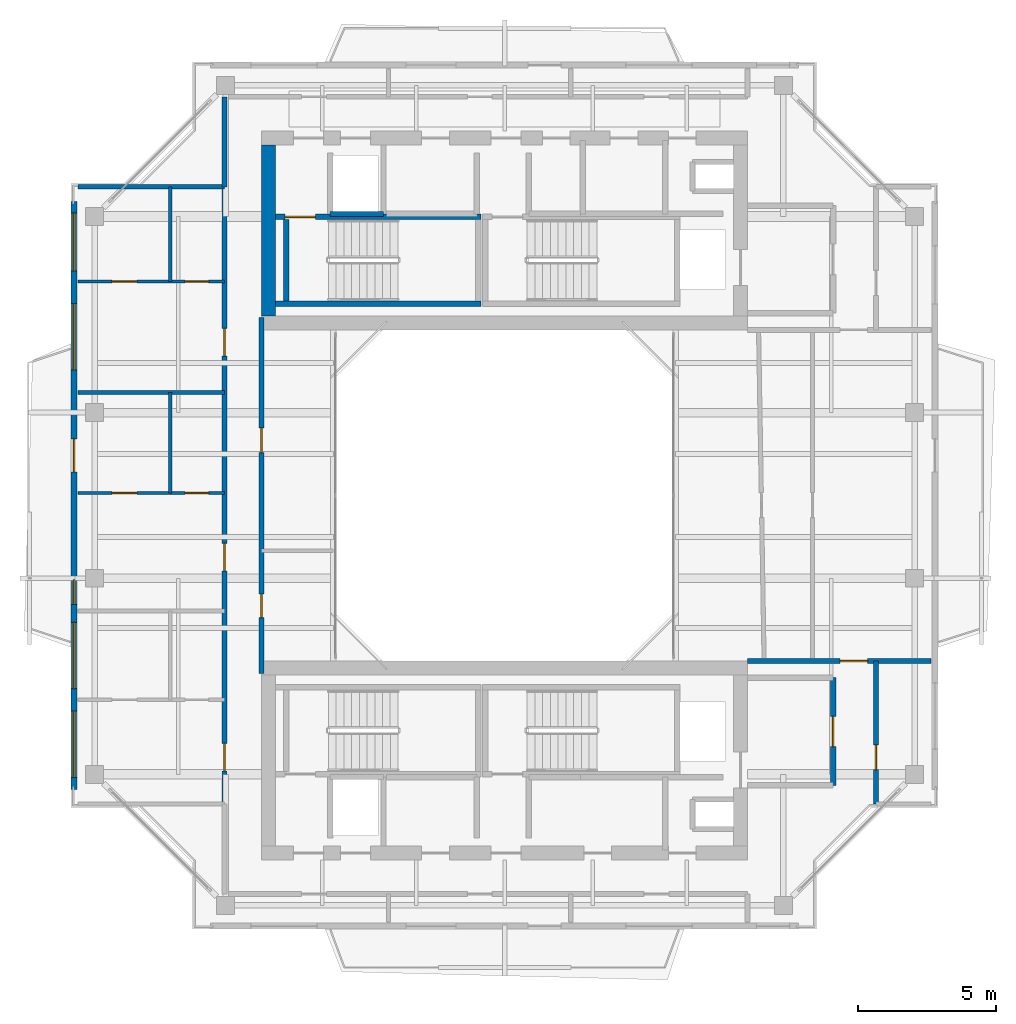
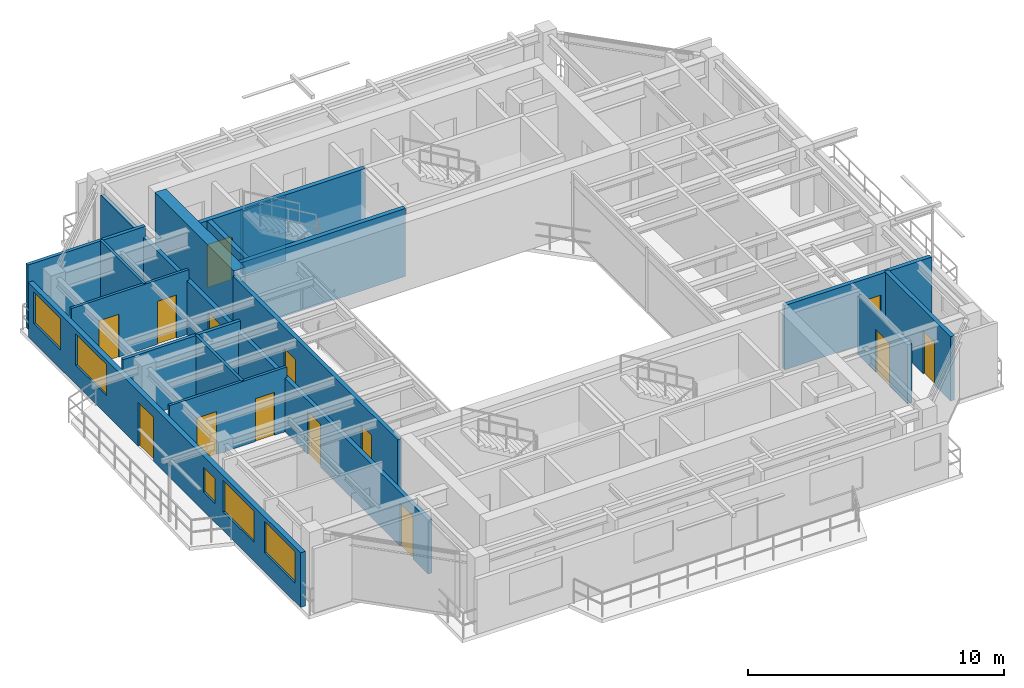
# One storey, part 10 of 15: 18 walls, 14 doors, 5 windows, 19 openings.
"""IFC4 building model written with IfcOpenShell, lengths in metres."""

from ifc_helpers import new_model, si_unit, direction, frame, frame_2d, origin, place, context, subcontext, project, spatial, rectangle, extrude, source, transform, mapped, material, layer, layer_set, type_object, element, fill, save


model = new_model("IFC4")

# Units and contexts
model_context = context("Model", 3, precision=1e-05, world=origin(), true_north=direction((0.0, 1.0)))
body_context = subcontext(model_context, "Body", "Model", "MODEL_VIEW")
ifc_project = project(units=[si_unit("LENGTHUNIT", "METRE"), si_unit("AREAUNIT", "SQUARE_METRE"), si_unit("VOLUMEUNIT", "CUBIC_METRE"), si_unit("PLANEANGLEUNIT", "RADIAN"), si_unit("MASSUNIT", "GRAM", prefix="KILO"), si_unit("THERMODYNAMICTEMPERATUREUNIT", "KELVIN"), si_unit("POWERUNIT", "WATT")], contexts=[model_context])

# Site, building, storey
site_placement = place(None, origin())
site = spatial("IfcSite", under=ifc_project, at=site_placement, CompositionType="ELEMENT")
building_placement = place(site_placement, origin())
building = spatial("IfcBuilding", under=site, at=building_placement, Name="Qiaomeng Ring Towers", CompositionType="ELEMENT")
storey_placement = place(building_placement, frame((0.0, 0.0, 256.75)))
storey = spatial("IfcBuildingStorey", under=building, at=storey_placement, Name="L75", CompositionType="ELEMENT", Elevation=256.75)

# Wall, openings, windows, door
ifc_material_1 = material(Name="Precast concrete C40", Category="concrete")
ifc_layer_1 = layer(ifc_material_1, 0.219970703125, Name="Precast concrete C40")
ifc_layer_set_1 = layer_set([ifc_layer_1], Name="Precast concrete C40")
wall_type_1 = type_object("IfcWallType", Name="ARC-WL-EW2", PredefinedType="STANDARD", material=ifc_layer_set_1)
wall_1_placement = place(storey_placement, frame((3.409912109375, 12.35009765625, 0.0), z_axis=(0.0, 0.0, 1.0), x_axis=(0.0, 1.0, 0.0)))
wall_1 = element("IfcWall", 1, at=wall_1_placement, inside=storey, type_object=wall_type_1, Name="L75 Tower 1 W Exterior Wall", PredefinedType="STANDARD", context=body_context, shape_type="SweptSolid", body=[
    extrude(rectangle(XDim=21.2998046875, YDim=0.219970703125, at=frame_2d((10.64990234375, 0.0))), origin(), (0.0, 0.0, 1.0), 2.610107421875),
])
opening_1_placement = place(wall_1_placement, frame((11.5, 0.0, 0.0)))
opening_1 = element("IfcOpeningElement", 2, at=opening_1_placement, cuts=wall_1, Name="Opening BD1", PredefinedType="OPENING", context=body_context, shape_type="SweptSolid", body=[
    extrude(rectangle(XDim=1.199951171875, YDim=2.10009765625, at=frame_2d((0.60009765625, 1.050048828125))), frame((0.0, 0.119873046875, 0.0), z_axis=(0.0, -1.0, 0.0), x_axis=(1.0, 0.0, 0.0)), (0.0, 0.0, 1.0), 0.239990234375),
])
opening_2_placement = place(wall_1_placement, frame((0.43994140625, 0.0, 0.89990234375)))
opening_2 = element("IfcOpeningElement", 3, at=opening_2_placement, cuts=wall_1, Name="Opening WN6", PredefinedType="OPENING", context=body_context, shape_type="SweptSolid", body=[
    extrude(rectangle(XDim=2.39990234375, YDim=1.5, at=frame_2d((1.199951171875, 0.75))), frame((0.0, 0.119873046875, 0.0), z_axis=(0.0, -1.0, 0.0), x_axis=(1.0, 0.0, 0.0)), (0.0, 0.0, 1.0), 0.239990234375),
])
opening_3_placement = place(wall_1_placement, frame((18.784912109375, 0.0, 0.89990234375)))
opening_3 = element("IfcOpeningElement", 4, at=opening_3_placement, cuts=wall_1, Name="Opening WN4", PredefinedType="OPENING", context=body_context, shape_type="SweptSolid", body=[
    extrude(rectangle(XDim=2.10009765625, YDim=1.5, at=frame_2d((1.050048828125, 0.75))), frame((0.0, 0.119873046875, 0.0), z_axis=(0.0, -1.0, 0.0), x_axis=(1.0, 0.0, 0.0)), (0.0, 0.0, 1.0), 0.239990234375),
])
opening_4_placement = place(wall_1_placement, frame((3.652587890625, 0.0, 0.89990234375)))
opening_4 = element("IfcOpeningElement", 5, at=opening_4_placement, cuts=wall_1, Name="Opening WN6", PredefinedType="OPENING", context=body_context, shape_type="SweptSolid", body=[
    extrude(rectangle(XDim=2.39990234375, YDim=1.5, at=frame_2d((1.199951171875, 0.75))), frame((0.0, 0.119873046875, 0.0), z_axis=(0.0, -1.0, 0.0), x_axis=(1.0, 0.0, 0.0)), (0.0, 0.0, 1.0), 0.239990234375),
])
opening_5_placement = place(wall_1_placement, frame((15.197509765625, 0.0, 0.89990234375)))
opening_5 = element("IfcOpeningElement", 6, at=opening_5_placement, cuts=wall_1, Name="Opening WN6", PredefinedType="OPENING", context=body_context, shape_type="SweptSolid", body=[
    extrude(rectangle(XDim=2.39990234375, YDim=1.5, at=frame_2d((1.199951171875, 0.75))), frame((0.0, 0.119873046875, 0.0), z_axis=(0.0, -1.0, 0.0), x_axis=(1.0, 0.0, 0.0)), (0.0, 0.0, 1.0), 0.239990234375),
])
opening_6_placement = place(wall_1_placement, frame((6.705078125, 0.0, 0.89990234375)))
opening_6 = element("IfcOpeningElement", 7, at=opening_6_placement, cuts=wall_1, Name="Opening WN5", PredefinedType="OPENING", context=body_context, shape_type="SweptSolid", body=[
    extrude(rectangle(XDim=0.89990234375, YDim=1.199951171875, at=frame_2d((0.449951171875, 0.60009765625))), frame((0.0, 0.119873046875, 0.0), z_axis=(0.0, -1.0, 0.0), x_axis=(1.0, 0.0, 0.0)), (0.0, 0.0, 1.0), 0.239990234375),
])
ifc_material_2 = material(Name="Low-E dark-grey laminated double glazing", Category="glass")
window_type_1 = type_object("IfcWindowType", Name="ARC-WN-4", PartitioningType="TRIPLE_PANEL_VERTICAL", PredefinedType="WINDOW", material=ifc_material_2)
shared_shape_1 = source(origin(), body_context, "Body", "SweptSolid", [
    extrude(rectangle(XDim=2.10009765625, YDim=1.5, at=frame_2d((1.050048828125, 0.75))), frame((0.0, 0.030029296875, 0.0), z_axis=(0.0, -1.0, 0.0), x_axis=(1.0, 0.0, 0.0)), (0.0, 0.0, 1.0), 0.06005859375),
])
window_1_placement = place(opening_3_placement, origin())
window_1 = element("IfcWindow", 8, at=window_1_placement, inside=storey, type_object=window_type_1, Name="L75 Exterior Window WN4", OverallHeight=1.5, OverallWidth=2.10009765625, PartitioningType="TRIPLE_PANEL_VERTICAL", PredefinedType="WINDOW", context=body_context, shape_type="MappedRepresentation", body=[
    mapped(shared_shape_1, transform((0.0, 0.0, 0.0), x_axis=(1.0, 0.0, 0.0), y_axis=(0.0, 1.0, 0.0), z_axis=(0.0, 0.0, 1.0), scale=1.0)),
])
fill(opening_3, window_1)
door_type_1 = type_object("IfcDoorType", Name="ARC-DR-BD1", OperationType="NOTDEFINED", PredefinedType="DOOR", material=ifc_material_2)
shared_shape_2 = source(origin(), body_context, "Body", "SweptSolid", [
    extrude(rectangle(XDim=1.199951171875, YDim=2.10009765625, at=frame_2d((0.60009765625, 1.050048828125))), frame((0.0, 0.02490234375, 0.0), z_axis=(0.0, -1.0, 0.0), x_axis=(1.0, 0.0, 0.0)), (0.0, 0.0, 1.0), 0.050048828125),
])
door_1_placement = place(opening_1_placement, frame((1.199951171875, 0.0, 0.0), z_axis=(0.0, 0.0, 1.0), x_axis=(-1.0, 0.0, 0.0)))
door_1 = element("IfcDoor", 9, at=door_1_placement, inside=storey, type_object=door_type_1, Name="L75 W Balcony Glazed Door", OperationType="SINGLE_SWING_LEFT", OverallHeight=2.10009765625, OverallWidth=1.199951171875, PredefinedType="DOOR", context=body_context, shape_type="MappedRepresentation", body=[
    mapped(shared_shape_2, transform((0.0, 0.0, 0.0), x_axis=(1.0, 0.0, 0.0), y_axis=(0.0, 1.0, 0.0), z_axis=(0.0, 0.0, 1.0), scale=1.0)),
])
fill(opening_1, door_1)
window_type_2 = type_object("IfcWindowType", Name="ARC-WN-6", PartitioningType="TRIPLE_PANEL_VERTICAL", PredefinedType="WINDOW", material=ifc_material_2)
shared_shape_3 = source(origin(), body_context, "Body", "SweptSolid", [
    extrude(rectangle(XDim=2.39990234375, YDim=1.5, at=frame_2d((1.199951171875, 0.75))), frame((0.0, 0.030029296875, 0.0), z_axis=(0.0, -1.0, 0.0), x_axis=(1.0, 0.0, 0.0)), (0.0, 0.0, 1.0), 0.06005859375),
])
window_2_placement = place(opening_2_placement, origin())
window_2 = element("IfcWindow", 10, at=window_2_placement, inside=storey, type_object=window_type_2, Name="L75 Exterior Window WN6", OverallHeight=1.5, OverallWidth=2.39990234375, PartitioningType="TRIPLE_PANEL_VERTICAL", PredefinedType="WINDOW", context=body_context, shape_type="MappedRepresentation", body=[
    mapped(shared_shape_3, transform((0.0, 0.0, 0.0), x_axis=(1.0, 0.0, 0.0), y_axis=(0.0, 1.0, 0.0), z_axis=(0.0, 0.0, 1.0), scale=1.0)),
])
fill(opening_2, window_2)
window_3_placement = place(opening_4_placement, origin())
window_3 = element("IfcWindow", 11, at=window_3_placement, inside=storey, type_object=window_type_2, Name="L75 Exterior Window WN6", OverallHeight=1.5, OverallWidth=2.39990234375, PartitioningType="TRIPLE_PANEL_VERTICAL", PredefinedType="WINDOW", context=body_context, shape_type="MappedRepresentation", body=[
    mapped(shared_shape_3, transform((0.0, 0.0, 0.0), x_axis=(1.0, 0.0, 0.0), y_axis=(0.0, 1.0, 0.0), z_axis=(0.0, 0.0, 1.0), scale=1.0)),
])
fill(opening_4, window_3)
window_4_placement = place(opening_5_placement, origin())
window_4 = element("IfcWindow", 12, at=window_4_placement, inside=storey, type_object=window_type_2, Name="L75 Exterior Window WN6", OverallHeight=1.5, OverallWidth=2.39990234375, PartitioningType="TRIPLE_PANEL_VERTICAL", PredefinedType="WINDOW", context=body_context, shape_type="MappedRepresentation", body=[
    mapped(shared_shape_3, transform((0.0, 0.0, 0.0), x_axis=(1.0, 0.0, 0.0), y_axis=(0.0, 1.0, 0.0), z_axis=(0.0, 0.0, 1.0), scale=1.0)),
])
fill(opening_5, window_4)
window_type_3 = type_object("IfcWindowType", Name="ARC-WN-5", PartitioningType="SINGLE_PANEL", PredefinedType="WINDOW", material=ifc_material_2)
shared_shape_4 = source(origin(), body_context, "Body", "SweptSolid", [
    extrude(rectangle(XDim=0.89990234375, YDim=1.199951171875, at=frame_2d((0.449951171875, 0.60009765625))), frame((0.0, 0.030029296875, 0.0), z_axis=(0.0, -1.0, 0.0), x_axis=(1.0, 0.0, 0.0)), (0.0, 0.0, 1.0), 0.06005859375),
])
window_5_placement = place(opening_6_placement, origin())
window_5 = element("IfcWindow", 13, at=window_5_placement, inside=storey, type_object=window_type_3, Name="L75 Exterior Window WN5", OverallHeight=1.199951171875, OverallWidth=0.89990234375, PartitioningType="SINGLE_PANEL", PredefinedType="WINDOW", context=body_context, shape_type="MappedRepresentation", body=[
    mapped(shared_shape_4, transform((0.0, 0.0, 0.0), x_axis=(1.0, 0.0, 0.0), y_axis=(0.0, 1.0, 0.0), z_axis=(0.0, 0.0, 1.0), scale=1.0)),
])
fill(opening_6, window_5)

# Wall, opening, door
ifc_material_3 = material(Name="Autoclaved aerated concrete block", Category="concrete")
ifc_layer_2 = layer(ifc_material_3, 0.199951171875, Name="Autoclaved aerated concrete block")
ifc_layer_set_2 = layer_set([ifc_layer_2], Name="Autoclaved aerated concrete block")
wall_type_2 = type_object("IfcWallType", Name="ARC-WL-PW1", PredefinedType="PARTITIONING", material=ifc_layer_set_2)
wall_2_placement = place(storey_placement, frame((30.89990234375, 12.5, 0.0), z_axis=(0.0, 0.0, 1.0), x_axis=(0.0, 1.0, 0.0)))
wall_2 = element("IfcWall", 14, at=wall_2_placement, inside=storey, type_object=wall_type_2, Name="L75 Interior Wall PW1", PredefinedType="PARTITIONING", context=body_context, shape_type="SweptSolid", body=[
    extrude(rectangle(XDim=3.89990234375, YDim=0.199951171875, at=frame_2d((1.949951171875, 0.0))), origin(), (0.0, 0.0, 1.0), 2.81494140625),
])
opening_7_placement = place(wall_2_placement, frame((1.39990234375, 0.0, 0.0)))
opening_7 = element("IfcOpeningElement", 15, at=opening_7_placement, cuts=wall_2, Name="Opening FD3", PredefinedType="OPENING", context=body_context, shape_type="SweptSolid", body=[
    extrude(rectangle(XDim=1.10009765625, YDim=2.050048828125, at=frame_2d((0.550048828125, 1.02490234375))), frame((0.0, 0.10986328125, 0.0), z_axis=(0.0, -1.0, 0.0), x_axis=(1.0, 0.0, 0.0)), (0.0, 0.0, 1.0), 0.219970703125),
])
ifc_material_4 = material(Name="Galvanised steel", Category="steel")
door_type_2 = type_object("IfcDoorType", Name="ARC-DR-FD3", OperationType="NOTDEFINED", PredefinedType="DOOR", material=ifc_material_4)
shared_shape_5 = source(origin(), body_context, "Body", "SweptSolid", [
    extrude(rectangle(XDim=1.10009765625, YDim=2.050048828125, at=frame_2d((0.550048828125, 1.02490234375))), frame((0.0, 0.02490234375, 0.0), z_axis=(0.0, -1.0, 0.0), x_axis=(1.0, 0.0, 0.0)), (0.0, 0.0, 1.0), 0.050048828125),
])
door_2_placement = place(opening_7_placement, origin())
door_2 = element("IfcDoor", 16, at=door_2_placement, inside=storey, type_object=door_type_2, Name="L75 South FF Lobby Door", OperationType="SINGLE_SWING_RIGHT", OverallHeight=2.050048828125, OverallWidth=1.10009765625, PredefinedType="DOOR", context=body_context, shape_type="MappedRepresentation", body=[
    mapped(shared_shape_5, transform((0.0, 0.0, 0.0), x_axis=(1.0, 0.0, 0.0), y_axis=(0.0, 1.0, 0.0), z_axis=(0.0, 0.0, 1.0), scale=1.0)),
])
fill(opening_7, door_2)

# Wall
ifc_layer_3 = layer(ifc_material_3, 0.179931640625, Name="Autoclaved aerated concrete block")
ifc_layer_set_3 = layer_set([ifc_layer_3], Name="Autoclaved aerated concrete block")
wall_type_3 = type_object("IfcWallType", Name="ARC-WL-PW2", PredefinedType="PARTITIONING", material=ifc_layer_set_3)
wall_3_placement = place(storey_placement, frame((8.85009765625, 34.179931640625, 0.0), z_axis=(0.0, 0.0, 1.0), x_axis=(0.0, 1.0, 0.0)))
element("IfcWall", 17, at=wall_3_placement, inside=storey, type_object=wall_type_3, Name="L75 Interior Wall PW2", PredefinedType="PARTITIONING", context=body_context, shape_type="SweptSolid", body=[
    extrude(rectangle(XDim=3.260009765625, YDim=0.179931640625, at=frame_2d((1.6298828125, 0.0))), origin(), (0.0, 0.0, 1.0), 2.569091796875),
])

# Wall, openings, doors
wall_4_placement = place(storey_placement, frame((8.85009765625, 11.820068359375, 0.0), z_axis=(0.0, 0.0, 1.0), x_axis=(0.0, 1.0, 0.0)))
wall_4 = element("IfcWall", 18, at=wall_4_placement, inside=storey, type_object=wall_type_3, Name="L75 Interior Wall PW2", PredefinedType="PARTITIONING", context=body_context, shape_type="SweptSolid", body=[
    extrude(rectangle(XDim=22.35986328125, YDim=0.179931640625, at=frame_2d((11.179931640625, 0.0))), origin(), (0.0, 0.0, 1.0), 2.569091796875),
])
opening_8_placement = place(wall_4_placement, frame((1.199951171875, 0.0, 0.0)))
opening_8 = element("IfcOpeningElement", 19, at=opening_8_placement, cuts=wall_4, Name="Opening FD4", PredefinedType="OPENING", context=body_context, shape_type="SweptSolid", body=[
    extrude(rectangle(XDim=1.0, YDim=2.050048828125, at=frame_2d((0.5, 1.02490234375))), frame((0.0, 0.099853515625, 0.0), z_axis=(0.0, -1.0, 0.0), x_axis=(1.0, 0.0, 0.0)), (0.0, 0.0, 1.0), 0.199951171875),
])
opening_9_placement = place(wall_4_placement, frame((8.445068359375, 0.0, 0.0)))
opening_9 = element("IfcOpeningElement", 20, at=opening_9_placement, cuts=wall_4, Name="Opening FD4", PredefinedType="OPENING", context=body_context, shape_type="SweptSolid", body=[
    extrude(rectangle(XDim=1.0, YDim=2.050048828125, at=frame_2d((0.5, 1.02490234375))), frame((0.0, 0.099853515625, 0.0), z_axis=(0.0, -1.0, 0.0), x_axis=(1.0, 0.0, 0.0)), (0.0, 0.0, 1.0), 0.199951171875),
])
opening_10_placement = place(wall_4_placement, frame((16.22998046875, 0.0, 0.0)))
opening_10 = element("IfcOpeningElement", 21, at=opening_10_placement, cuts=wall_4, Name="Opening FD4", PredefinedType="OPENING", context=body_context, shape_type="SweptSolid", body=[
    extrude(rectangle(XDim=1.0, YDim=2.050048828125, at=frame_2d((0.5, 1.02490234375))), frame((0.0, 0.099853515625, 0.0), z_axis=(0.0, -1.0, 0.0), x_axis=(1.0, 0.0, 0.0)), (0.0, 0.0, 1.0), 0.199951171875),
])
ifc_material_5 = material(Name="Engineered fire-rated oak timber", Category="wood")
door_type_3 = type_object("IfcDoorType", Name="ARC-DR-FD4", OperationType="NOTDEFINED", PredefinedType="DOOR", material=ifc_material_5)
shared_shape_6 = source(origin(), body_context, "Body", "SweptSolid", [
    extrude(rectangle(XDim=1.0, YDim=2.050048828125, at=frame_2d((0.5, 1.02490234375))), frame((0.0, 0.02490234375, 0.0), z_axis=(0.0, -1.0, 0.0), x_axis=(1.0, 0.0, 0.0)), (0.0, 0.0, 1.0), 0.050048828125),
])
door_3_placement = place(opening_8_placement, origin())
door_3 = element("IfcDoor", 22, at=door_3_placement, inside=storey, type_object=door_type_3, Name="L75 Door FD4", OperationType="SINGLE_SWING_RIGHT", OverallHeight=2.050048828125, OverallWidth=1.0, PredefinedType="DOOR", context=body_context, shape_type="MappedRepresentation", body=[
    mapped(shared_shape_6, transform((0.0, 0.0, 0.0), x_axis=(1.0, 0.0, 0.0), y_axis=(0.0, 1.0, 0.0), z_axis=(0.0, 0.0, 1.0), scale=1.0)),
])
fill(opening_8, door_3)
door_4_placement = place(opening_9_placement, origin())
door_4 = element("IfcDoor", 23, at=door_4_placement, inside=storey, type_object=door_type_3, Name="L75 Door FD4", OperationType="SINGLE_SWING_LEFT", OverallHeight=2.050048828125, OverallWidth=1.0, PredefinedType="DOOR", context=body_context, shape_type="MappedRepresentation", body=[
    mapped(shared_shape_6, transform((0.0, 0.0, 0.0), x_axis=(1.0, 0.0, 0.0), y_axis=(0.0, 1.0, 0.0), z_axis=(0.0, 0.0, 1.0), scale=1.0)),
])
fill(opening_9, door_4)
door_5_placement = place(opening_10_placement, origin())
door_5 = element("IfcDoor", 24, at=door_5_placement, inside=storey, type_object=door_type_3, Name="L75 Door FD4", OperationType="SINGLE_SWING_RIGHT", OverallHeight=2.050048828125, OverallWidth=1.0, PredefinedType="DOOR", context=body_context, shape_type="MappedRepresentation", body=[
    mapped(shared_shape_6, transform((0.0, 0.0, 0.0), x_axis=(1.0, 0.0, 0.0), y_axis=(0.0, 1.0, 0.0), z_axis=(0.0, 0.0, 1.0), scale=1.0)),
])
fill(opening_10, door_5)

wall_5_placement = place(storey_placement, frame((10.199951171875, 16.550048828125, 0.0), z_axis=(0.0, 0.0, 1.0), x_axis=(0.0, 1.0, 0.0)))
wall_5 = element("IfcWall", 25, at=wall_5_placement, inside=storey, type_object=wall_type_3, Name="L75 Interior Wall PW2", PredefinedType="PARTITIONING", context=body_context, shape_type="SweptSolid", body=[
    extrude(rectangle(XDim=12.89990234375, YDim=0.179931640625, at=frame_2d((6.449951171875, 0.0))), origin(), (0.0, 0.0, 1.0), 3.070068359375),
])
opening_11_placement = place(wall_5_placement, frame((2.02490234375, 0.0, 0.0)))
opening_11 = element("IfcOpeningElement", 26, at=opening_11_placement, cuts=wall_5, Name="Opening ID2", PredefinedType="OPENING", context=body_context, shape_type="SweptSolid", body=[
    extrude(rectangle(XDim=0.85009765625, YDim=2.050048828125, at=frame_2d((0.425048828125, 1.02490234375))), frame((0.0, 0.099853515625, 0.0), z_axis=(0.0, -1.0, 0.0), x_axis=(1.0, 0.0, 0.0)), (0.0, 0.0, 1.0), 0.199951171875),
])
opening_12_placement = place(wall_5_placement, frame((8.0, 0.0, 0.0)))
opening_12 = element("IfcOpeningElement", 27, at=opening_12_placement, cuts=wall_5, Name="Opening ID1", PredefinedType="OPENING", context=body_context, shape_type="SweptSolid", body=[
    extrude(rectangle(XDim=0.89990234375, YDim=2.050048828125, at=frame_2d((0.449951171875, 1.02490234375))), frame((0.0, 0.099853515625, 0.0), z_axis=(0.0, -1.0, 0.0), x_axis=(1.0, 0.0, 0.0)), (0.0, 0.0, 1.0), 0.199951171875),
])
ifc_material_6 = material(Name="Moisture-resistant engineered timber", Category="wood")
door_type_4 = type_object("IfcDoorType", Name="ARC-DR-ID2", OperationType="NOTDEFINED", PredefinedType="DOOR", material=ifc_material_6)
shared_shape_7 = source(origin(), body_context, "Body", "SweptSolid", [
    extrude(rectangle(XDim=0.85009765625, YDim=2.050048828125, at=frame_2d((0.425048828125, 1.02490234375))), frame((0.0, 0.02490234375, 0.0), z_axis=(0.0, -1.0, 0.0), x_axis=(1.0, 0.0, 0.0)), (0.0, 0.0, 1.0), 0.050048828125),
])
door_6_placement = place(opening_11_placement, origin())
door_6 = element("IfcDoor", 28, at=door_6_placement, inside=storey, type_object=door_type_4, Name="L75 Door ID2", OperationType="SINGLE_SWING_LEFT", OverallHeight=2.050048828125, OverallWidth=0.85009765625, PredefinedType="DOOR", context=body_context, shape_type="MappedRepresentation", body=[
    mapped(shared_shape_7, transform((0.0, 0.0, 0.0), x_axis=(1.0, 0.0, 0.0), y_axis=(0.0, 1.0, 0.0), z_axis=(0.0, 0.0, 1.0), scale=1.0)),
])
fill(opening_11, door_6)
ifc_material_7 = material(Name="Engineered oak timber", Category="wood")
door_type_5 = type_object("IfcDoorType", Name="ARC-DR-ID1", OperationType="NOTDEFINED", PredefinedType="DOOR", material=ifc_material_7)
shared_shape_8 = source(origin(), body_context, "Body", "SweptSolid", [
    extrude(rectangle(XDim=0.89990234375, YDim=2.050048828125, at=frame_2d((0.449951171875, 1.02490234375))), frame((0.0, 0.02490234375, 0.0), z_axis=(0.0, -1.0, 0.0), x_axis=(1.0, 0.0, 0.0)), (0.0, 0.0, 1.0), 0.050048828125),
])
door_7_placement = place(opening_12_placement, origin())
door_7 = element("IfcDoor", 29, at=door_7_placement, inside=storey, type_object=door_type_5, Name="L75 Door ID1", OperationType="SINGLE_SWING_RIGHT", OverallHeight=2.050048828125, OverallWidth=0.89990234375, PredefinedType="DOOR", context=body_context, shape_type="MappedRepresentation", body=[
    mapped(shared_shape_8, transform((0.0, 0.0, 0.0), x_axis=(1.0, 0.0, 0.0), y_axis=(0.0, 1.0, 0.0), z_axis=(0.0, 0.0, 1.0), scale=1.0)),
])
fill(opening_12, door_7)

# Wall, opening, door
wall_6_placement = place(storey_placement, frame((27.800048828125, 17.0, 0.0), z_axis=(0.0, 0.0, 1.0), x_axis=(1.0, 0.0, 0.0)))
wall_6 = element("IfcWall", 30, at=wall_6_placement, inside=storey, type_object=wall_type_3, Name="L75 Interior Wall PW2", PredefinedType="PARTITIONING", context=body_context, shape_type="SweptSolid", body=[
    extrude(rectangle(XDim=6.64990234375, YDim=0.179931640625, at=frame_2d((3.324951171875, 0.0))), origin(), (0.0, 0.0, 1.0), 3.070068359375),
])
opening_13_placement = place(wall_6_placement, frame((3.35009765625, 0.0, 0.0)))
opening_13 = element("IfcOpeningElement", 31, at=opening_13_placement, cuts=wall_6, Name="Opening FD4", PredefinedType="OPENING", context=body_context, shape_type="SweptSolid", body=[
    extrude(rectangle(XDim=1.0, YDim=2.050048828125, at=frame_2d((0.5, 1.02490234375))), frame((0.0, 0.099853515625, 0.0), z_axis=(0.0, -1.0, 0.0), x_axis=(1.0, 0.0, 0.0)), (0.0, 0.0, 1.0), 0.199951171875),
])
door_8_placement = place(opening_13_placement, origin())
door_8 = element("IfcDoor", 32, at=door_8_placement, inside=storey, type_object=door_type_3, Name="L75 Door FD4", OperationType="SINGLE_SWING_LEFT", OverallHeight=2.050048828125, OverallWidth=1.0, PredefinedType="DOOR", context=body_context, shape_type="MappedRepresentation", body=[
    mapped(shared_shape_6, transform((0.0, 0.0, 0.0), x_axis=(1.0, 0.0, 0.0), y_axis=(0.0, 1.0, 0.0), z_axis=(0.0, 0.0, 1.0), scale=1.0)),
])
fill(opening_13, door_8)

wall_7_placement = place(storey_placement, frame((32.449951171875, 11.820068359375, 0.0), z_axis=(0.0, 0.0, 1.0), x_axis=(0.0, 1.0, 0.0)))
wall_7 = element("IfcWall", 33, at=wall_7_placement, inside=storey, type_object=wall_type_3, Name="L75 Interior Wall PW2", PredefinedType="PARTITIONING", context=body_context, shape_type="SweptSolid", body=[
    extrude(rectangle(XDim=5.179931640625, YDim=0.179931640625, at=frame_2d((2.58984375, 0.0))), origin(), (0.0, 0.0, 1.0), 3.070068359375),
])
opening_14_placement = place(wall_7_placement, frame((1.25, 0.0, 0.0)))
opening_14 = element("IfcOpeningElement", 34, at=opening_14_placement, cuts=wall_7, Name="Opening ID1", PredefinedType="OPENING", context=body_context, shape_type="SweptSolid", body=[
    extrude(rectangle(XDim=0.89990234375, YDim=2.050048828125, at=frame_2d((0.449951171875, 1.02490234375))), frame((0.0, 0.099853515625, 0.0), z_axis=(0.0, -1.0, 0.0), x_axis=(1.0, 0.0, 0.0)), (0.0, 0.0, 1.0), 0.199951171875),
])
door_9_placement = place(opening_14_placement, origin())
door_9 = element("IfcDoor", 35, at=door_9_placement, inside=storey, type_object=door_type_5, Name="L75 Door ID1", OperationType="SINGLE_SWING_RIGHT", OverallHeight=2.050048828125, OverallWidth=0.89990234375, PredefinedType="DOOR", context=body_context, shape_type="MappedRepresentation", body=[
    mapped(shared_shape_8, transform((0.0, 0.0, 0.0), x_axis=(1.0, 0.0, 0.0), y_axis=(0.0, 1.0, 0.0), z_axis=(0.0, 0.0, 1.0), scale=1.0)),
])
fill(opening_14, door_9)

# Walls
ifc_material_8 = material(Name="Gypsum fireboard steel-stud partition", Category="steel")
ifc_layer_4 = layer(ifc_material_8, 0.14990234375, Name="Gypsum fireboard steel-stud partition")
ifc_layer_set_4 = layer_set([ifc_layer_4], Name="Gypsum fireboard steel-stud partition")
wall_type_4 = type_object("IfcWallType", Name="ARC-WL-PW3", PredefinedType="PARTITIONING", material=ifc_layer_set_4)
for number, where, z_axis, x_axis, name in (
    (36, (3.550048828125, 34.179931640625, 0.0), (0.0, 0.0, 1.0), (1.0, 0.0, 0.0), "L75 Interior Wall PW3"),
    (37, (3.550048828125, 26.72998046875, 0.0), (0.0, 0.0, 1.0), (1.0, 0.0, 0.0), "L75 Interior Wall PW3"),
):
    element("IfcWall", number, at=place(storey_placement, frame(where, z_axis=z_axis, x_axis=x_axis)), inside=storey, type_object=wall_type_4, Name=name, PredefinedType="PARTITIONING", context=body_context, shape_type="SweptSolid", body=[
        extrude(rectangle(XDim=5.300048828125, YDim=0.14990234375, at=frame_2d((2.64990234375, 0.0))), origin(), (0.0, 0.0, 1.0), 3.070068359375),
    ])

# Wall, openings, doors
ifc_material_9 = material(Name="Moisture-resistant gypsum steel-stud partition", Category="steel")
ifc_layer_5 = layer(ifc_material_9, 0.1201171875, Name="Moisture-resistant gypsum steel-stud partition")
ifc_layer_set_5 = layer_set([ifc_layer_5], Name="Moisture-resistant gypsum steel-stud partition")
wall_type_5 = type_object("IfcWallType", Name="ARC-WL-PW4", PredefinedType="PLUMBINGWALL", material=ifc_layer_set_5)
wall_8_placement = place(storey_placement, frame((3.550048828125, 23.090087890625, 0.0), z_axis=(0.0, 0.0, 1.0), x_axis=(1.0, 0.0, 0.0)))
wall_8 = element("IfcWall", 38, at=wall_8_placement, inside=storey, type_object=wall_type_5, Name="L75 Interior Wall PW4", PredefinedType="PLUMBINGWALL", context=body_context, shape_type="SweptSolid", body=[
    extrude(rectangle(XDim=5.300048828125, YDim=0.1201171875, at=frame_2d((2.64990234375, 0.0))), origin(), (0.0, 0.0, 1.0), 3.070068359375),
])
opening_15_placement = place(wall_8_placement, frame((1.22998046875, 0.0, 0.0)))
opening_15 = element("IfcOpeningElement", 39, at=opening_15_placement, cuts=wall_8, Name="Opening ID1", PredefinedType="OPENING", context=body_context, shape_type="SweptSolid", body=[
    extrude(rectangle(XDim=0.89990234375, YDim=2.050048828125, at=frame_2d((0.449951171875, 1.02490234375))), frame((0.0, 0.070068359375, 0.0), z_axis=(0.0, -1.0, 0.0), x_axis=(1.0, 0.0, 0.0)), (0.0, 0.0, 1.0), 0.14013671875),
])
opening_16_placement = place(wall_8_placement, frame((3.885009765625, 0.0, 0.0)))
opening_16 = element("IfcOpeningElement", 40, at=opening_16_placement, cuts=wall_8, Name="Opening ID2", PredefinedType="OPENING", context=body_context, shape_type="SweptSolid", body=[
    extrude(rectangle(XDim=0.85009765625, YDim=2.050048828125, at=frame_2d((0.425048828125, 1.02490234375))), frame((0.0, 0.070068359375, 0.0), z_axis=(0.0, -1.0, 0.0), x_axis=(1.0, 0.0, 0.0)), (0.0, 0.0, 1.0), 0.14013671875),
])
door_10_placement = place(opening_16_placement, origin())
door_10 = element("IfcDoor", 41, at=door_10_placement, inside=storey, type_object=door_type_4, Name="L75 Door ID2", OperationType="SINGLE_SWING_RIGHT", OverallHeight=2.050048828125, OverallWidth=0.85009765625, PredefinedType="DOOR", context=body_context, shape_type="MappedRepresentation", body=[
    mapped(shared_shape_7, transform((0.0, 0.0, 0.0), x_axis=(1.0, 0.0, 0.0), y_axis=(0.0, 1.0, 0.0), z_axis=(0.0, 0.0, 1.0), scale=1.0)),
])
fill(opening_16, door_10)
door_11_placement = place(opening_15_placement, origin())
door_11 = element("IfcDoor", 42, at=door_11_placement, inside=storey, type_object=door_type_5, Name="L75 Door ID1", OperationType="SINGLE_SWING_LEFT", OverallHeight=2.050048828125, OverallWidth=0.89990234375, PredefinedType="DOOR", context=body_context, shape_type="MappedRepresentation", body=[
    mapped(shared_shape_8, transform((0.0, 0.0, 0.0), x_axis=(1.0, 0.0, 0.0), y_axis=(0.0, 1.0, 0.0), z_axis=(0.0, 0.0, 1.0), scale=1.0)),
])
fill(opening_15, door_11)

# Wall
wall_9_placement = place(storey_placement, frame((6.889892578125, 23.090087890625, 0.0), z_axis=(0.0, 0.0, 1.0), x_axis=(0.0, 1.0, 0.0)))
element("IfcWall", 43, at=wall_9_placement, inside=storey, type_object=wall_type_5, Name="L75 Interior Wall PW4", PredefinedType="PLUMBINGWALL", context=body_context, shape_type="SweptSolid", body=[
    extrude(rectangle(XDim=3.639892578125, YDim=0.1201171875, at=frame_2d((1.81982421875, 0.0))), origin(), (0.0, 0.0, 1.0), 3.070068359375),
])

# Wall, openings, doors
wall_10_placement = place(storey_placement, frame((3.550048828125, 30.75, 0.0), z_axis=(0.0, 0.0, 1.0), x_axis=(1.0, 0.0, 0.0)))
wall_10 = element("IfcWall", 44, at=wall_10_placement, inside=storey, type_object=wall_type_5, Name="L75 Interior Wall PW4", PredefinedType="PLUMBINGWALL", context=body_context, shape_type="SweptSolid", body=[
    extrude(rectangle(XDim=5.300048828125, YDim=0.1201171875, at=frame_2d((2.64990234375, 0.0))), origin(), (0.0, 0.0, 1.0), 3.070068359375),
])
opening_17_placement = place(wall_10_placement, frame((1.22998046875, 0.0, 0.0)))
opening_17 = element("IfcOpeningElement", 45, at=opening_17_placement, cuts=wall_10, Name="Opening ID1", PredefinedType="OPENING", context=body_context, shape_type="SweptSolid", body=[
    extrude(rectangle(XDim=0.89990234375, YDim=2.050048828125, at=frame_2d((0.449951171875, 1.02490234375))), frame((0.0, 0.070068359375, 0.0), z_axis=(0.0, -1.0, 0.0), x_axis=(1.0, 0.0, 0.0)), (0.0, 0.0, 1.0), 0.14013671875),
])
opening_18_placement = place(wall_10_placement, frame((3.885009765625, 0.0, 0.0)))
opening_18 = element("IfcOpeningElement", 46, at=opening_18_placement, cuts=wall_10, Name="Opening ID2", PredefinedType="OPENING", context=body_context, shape_type="SweptSolid", body=[
    extrude(rectangle(XDim=0.85009765625, YDim=2.050048828125, at=frame_2d((0.425048828125, 1.02490234375))), frame((0.0, 0.070068359375, 0.0), z_axis=(0.0, -1.0, 0.0), x_axis=(1.0, 0.0, 0.0)), (0.0, 0.0, 1.0), 0.14013671875),
])
door_12_placement = place(opening_18_placement, origin())
door_12 = element("IfcDoor", 47, at=door_12_placement, inside=storey, type_object=door_type_4, Name="L75 Door ID2", OperationType="SINGLE_SWING_LEFT", OverallHeight=2.050048828125, OverallWidth=0.85009765625, PredefinedType="DOOR", context=body_context, shape_type="MappedRepresentation", body=[
    mapped(shared_shape_7, transform((0.0, 0.0, 0.0), x_axis=(1.0, 0.0, 0.0), y_axis=(0.0, 1.0, 0.0), z_axis=(0.0, 0.0, 1.0), scale=1.0)),
])
fill(opening_18, door_12)
door_13_placement = place(opening_17_placement, origin())
door_13 = element("IfcDoor", 48, at=door_13_placement, inside=storey, type_object=door_type_5, Name="L75 Door ID1", OperationType="SINGLE_SWING_RIGHT", OverallHeight=2.050048828125, OverallWidth=0.89990234375, PredefinedType="DOOR", context=body_context, shape_type="MappedRepresentation", body=[
    mapped(shared_shape_8, transform((0.0, 0.0, 0.0), x_axis=(1.0, 0.0, 0.0), y_axis=(0.0, 1.0, 0.0), z_axis=(0.0, 0.0, 1.0), scale=1.0)),
])
fill(opening_17, door_13)

# Walls
wall_11_placement = place(storey_placement, frame((6.889892578125, 30.75, 0.0), z_axis=(0.0, 0.0, 1.0), x_axis=(0.0, 1.0, 0.0)))
element("IfcWall", 49, at=wall_11_placement, inside=storey, type_object=wall_type_5, Name="L75 Interior Wall PW4", PredefinedType="PLUMBINGWALL", context=body_context, shape_type="SweptSolid", body=[
    extrude(rectangle(XDim=3.429931640625, YDim=0.1201171875, at=frame_2d((1.71484375, 0.0))), origin(), (0.0, 0.0, 1.0), 3.070068359375),
])
ifc_material_10 = material(Name="Concrete C40", Category="concrete")
ifc_layer_6 = layer(ifc_material_10, 0.199951171875, Name="Concrete C40")
ifc_layer_set_6 = layer_set([ifc_layer_6], Name="Concrete C40")
wall_type_6 = type_object("IfcWallType", Name="STR-WL-STSHAFT", PredefinedType="SHEAR", material=ifc_layer_set_6)
wall_12_placement = place(storey_placement, frame((12.679931640625, 33.199951171875, 0.0), z_axis=(0.0, 0.0, 1.0), x_axis=(1.0, 0.0, 0.0)))
element("IfcWall", 50, at=wall_12_placement, inside=storey, type_object=wall_type_6, Name="L75 Lift LP5 Shaft Back Wall", PredefinedType="SHEAR", context=body_context, shape_type="SweptSolid", body=[
    extrude(rectangle(XDim=1.940185546875, YDim=0.179931640625, at=frame_2d((0.97021484375, 0.0))), origin(), (0.0, 0.0, 1.0), 3.070068359375),
])
wall_13_placement = place(storey_placement, frame((10.699951171875, 29.949951171875, 0.0), z_axis=(0.0, 0.0, 1.0), x_axis=(1.0, 0.0, 0.0)))
element("IfcWall", 51, at=wall_13_placement, inside=storey, type_object=wall_type_6, Name="L75 Stair ST1 South Shaft Shear Wall", PredefinedType="SHEAR", context=body_context, shape_type="SweptSolid", body=[
    extrude(rectangle(XDim=7.449951171875, YDim=0.199951171875, at=frame_2d((3.72509765625, 0.0))), origin(), (0.0, 0.0, 1.0), 3.25),
])

# Wall, opening, door
wall_14_placement = place(storey_placement, frame((10.699951171875, 33.090087890625, 0.0), z_axis=(0.0, 0.0, 1.0), x_axis=(1.0, 0.0, 0.0)))
wall_14 = element("IfcWall", 52, at=wall_14_placement, inside=storey, type_object=wall_type_6, Name="L75 Stair ST1 North Shaft Shear Wall", PredefinedType="SHEAR", context=body_context, shape_type="SweptSolid", body=[
    extrude(rectangle(XDim=7.449951171875, YDim=0.199951171875, at=frame_2d((3.72509765625, 0.0))), origin(), (0.0, 0.0, 1.0), 3.25),
])
opening_19_placement = place(wall_14_placement, frame((0.35009765625, 0.0, 0.0)))
opening_19 = element("IfcOpeningElement", 53, at=opening_19_placement, cuts=wall_14, Name="Opening FD3", PredefinedType="OPENING", context=body_context, shape_type="SweptSolid", body=[
    extrude(rectangle(XDim=1.10009765625, YDim=2.050048828125, at=frame_2d((0.550048828125, 1.02490234375))), frame((0.0, 0.10986328125, 0.0), z_axis=(0.0, -1.0, 0.0), x_axis=(1.0, 0.0, 0.0)), (0.0, 0.0, 1.0), 0.219970703125),
])
door_14_placement = place(opening_19_placement, origin())
door_14 = element("IfcDoor", 54, at=door_14_placement, inside=storey, type_object=door_type_2, Name="L75 Stair ST1 Exit Door", OperationType="SINGLE_SWING_RIGHT", OverallHeight=2.050048828125, OverallWidth=1.10009765625, PredefinedType="DOOR", context=body_context, shape_type="MappedRepresentation", body=[
    mapped(shared_shape_5, transform((0.0, 0.0, 0.0), x_axis=(1.0, 0.0, 0.0), y_axis=(0.0, 1.0, 0.0), z_axis=(0.0, 0.0, 1.0), scale=1.0)),
])
fill(opening_19, door_14)

# Walls
wall_15_placement = place(storey_placement, frame((11.10009765625, 30.050048828125, 0.0), z_axis=(0.0, 0.0, 1.0), x_axis=(0.0, 1.0, 0.0)))
element("IfcWall", 55, at=wall_15_placement, inside=storey, type_object=wall_type_6, Name="L75 Stair ST1 West Shaft Shear Wall", PredefinedType="SHEAR", context=body_context, shape_type="SweptSolid", body=[
    extrude(rectangle(XDim=2.93994140625, YDim=0.199951171875, at=frame_2d((1.469970703125, 0.0))), origin(), (0.0, 0.0, 1.0), 3.25),
])
ifc_layer_7 = layer(ifc_material_10, 0.5, Name="Concrete C40")
ifc_layer_set_7 = layer_set([ifc_layer_7], Name="Concrete C40")
wall_type_7 = type_object("IfcWallType", Name="STR-WL-SW3", PredefinedType="SHEAR", material=ifc_layer_set_7)
wall_16_placement = place(storey_placement, frame((10.449951171875, 29.5, 0.0), z_axis=(0.0, 0.0, 1.0), x_axis=(0.0, 1.0, 0.0)))
element("IfcWall", 56, at=wall_16_placement, inside=storey, type_object=wall_type_7, Name="L75 T1NC west core shear wall", PredefinedType="SHEAR", context=body_context, shape_type="SweptSolid", body=[
    extrude(rectangle(XDim=6.199951171875, YDim=0.5, at=frame_2d((3.10009765625, 0.0))), origin(), (0.0, 0.0, 1.0), 3.25),
])

save(model, "model.ifc")
